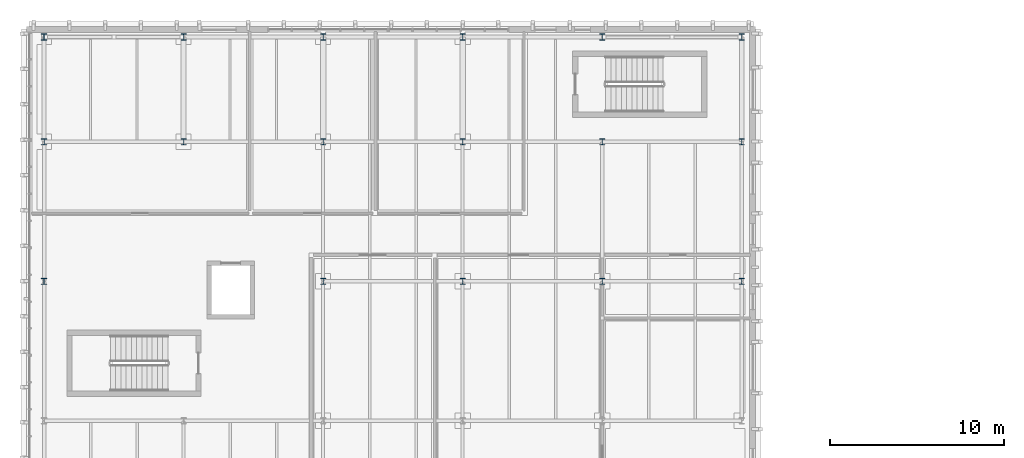
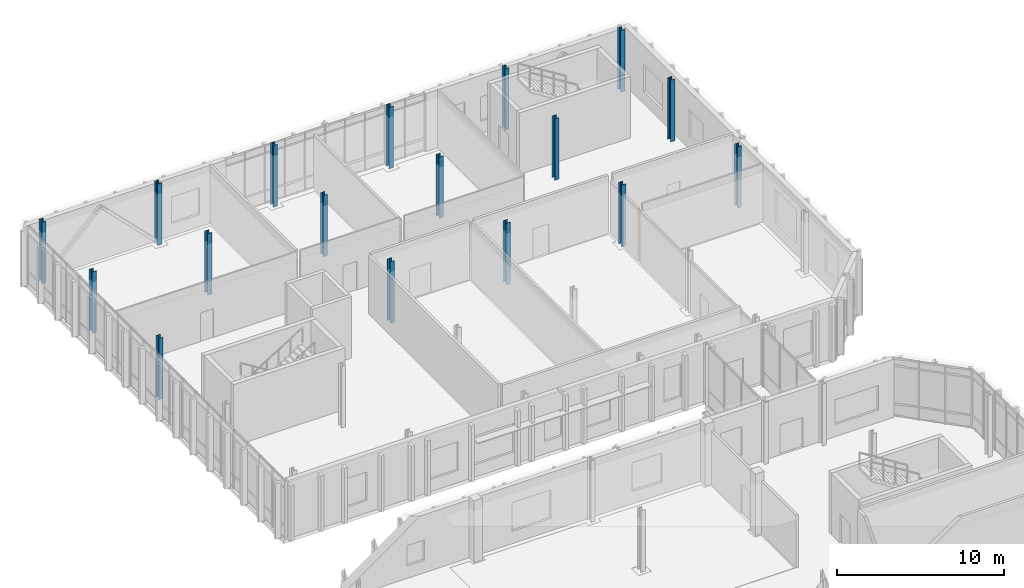
# One storey, part 10 of 86: 17 columns.
"""IFC4 building model written with IfcOpenShell, lengths in metres."""

from ifc_helpers import new_model, si_unit, direction, frame, origin, origin_2d, place, context, subcontext, project, spatial, i_section, extrude, material, material_profile, profile_set, type_object, element, save


model = new_model("IFC4")

# Units and contexts
model_context = context("Model", 3, precision=1e-05, world=origin(), true_north=direction((0.0, 1.0)))
body_context = subcontext(model_context, "Body", "Model", "MODEL_VIEW")
ifc_project = project(units=[si_unit("LENGTHUNIT", "METRE"), si_unit("AREAUNIT", "SQUARE_METRE"), si_unit("VOLUMEUNIT", "CUBIC_METRE"), si_unit("PLANEANGLEUNIT", "RADIAN"), si_unit("MASSUNIT", "GRAM", prefix="KILO")], contexts=[model_context])

# Site, building, storey
site_placement = place(None, origin())
site = spatial("IfcSite", under=ifc_project, at=site_placement, CompositionType="ELEMENT")
building_placement = place(site_placement, origin())
building = spatial("IfcBuilding", under=site, at=building_placement, Name="Cymarion Research Institute", CompositionType="ELEMENT")
storey_placement = place(building_placement, frame((0.0, 0.0, 13.800048828125)))
storey = spatial("IfcBuildingStorey", under=building, at=storey_placement, Name="L03", CompositionType="ELEMENT", Elevation=13.800048828125)

# Columns
ifc_material = material(Name="Steel S355", Category="steel")
ifc_material_profile_1 = material_profile(ifc_material, i_section(OverallWidth=0.300048828125, OverallDepth=0.360107421875, WebThickness=0.012451171875, FlangeThickness=0.0224609375, FilletRadius=0.027099609375, at=origin_2d()), Name="HEB 360")
ifc_profile_set_1 = profile_set([ifc_material_profile_1], Name="Steel S355")
column_type_1 = type_object("IfcColumnType", Name="STRUCTURAL COLUMN C07 HEB 360", PredefinedType="COLUMN", material=ifc_profile_set_1)
for number, where, z_axis, x_axis, name in (
    (1, (6.60009765625, 101.5, 0.0), (0.0, 0.0, 1.0), (1.0, 0.0, 0.0), "L03 V5 column C07 #871"),
    (2, (6.60009765625, 115.5, 0.0), (0.0, 0.0, 1.0), (1.0, 0.0, 0.0), "L03 V5 column C07 #873"),
    (3, (14.60009765625, 115.5, 0.0), (0.0, 0.0, 1.0), (1.0, 0.0, 0.0), "L03 V5 column C07 #882"),
    (4, (22.60009765625, 101.5, 0.0), (0.0, 0.0, 1.0), (1.0, 0.0, 0.0), "L03 V5 column C07 #890"),
    (5, (22.60009765625, 115.5, 0.0), (0.0, 0.0, 1.0), (1.0, 0.0, 0.0), "L03 V5 column C07 #892"),
    (6, (30.60009765625, 101.5, 0.0), (0.0, 0.0, 1.0), (1.0, 0.0, 0.0), "L03 V5 column C07 #900"),
    (7, (30.60009765625, 115.5, 0.0), (0.0, 0.0, 1.0), (1.0, 0.0, 0.0), "L03 V5 column C07 #902"),
    (8, (38.60009765625, 101.5, 0.0), (0.0, 0.0, 1.0), (1.0, 0.0, 0.0), "L03 V5 column C07 #913"),
    (9, (38.60009765625, 115.5, 0.0), (0.0, 0.0, 1.0), (1.0, 0.0, 0.0), "L03 V5 column C07 #915"),
    (10, (46.60009765625, 101.5, 0.0), (0.0, 0.0, 1.0), (1.0, 0.0, 0.0), "L03 V5 column C07 #921"),
    (11, (46.60009765625, 115.5, 0.0), (0.0, 0.0, 1.0), (1.0, 0.0, 0.0), "L03 V5 column C07 #923"),
):
    element("IfcColumn", number, at=place(storey_placement, frame(where, z_axis=z_axis, x_axis=x_axis)), inside=storey, type_object=column_type_1, Name=name, PredefinedType="COLUMN", context=body_context, shape_type="SweptSolid", body=[
        extrude(i_section(OverallWidth=0.300048828125, OverallDepth=0.360107421875, WebThickness=0.012451171875, FlangeThickness=0.0224609375, FilletRadius=0.027099609375, at=origin_2d()), origin(), (0.0, 0.0, 1.0), 4.5),
    ])
ifc_material_profile_2 = material_profile(ifc_material, i_section(OverallWidth=0.300048828125, OverallDepth=0.35009765625, WebThickness=0.010009765625, FlangeThickness=0.017578125, FilletRadius=0.027099609375, at=origin_2d()), Name="HEA 360")
ifc_profile_set_2 = profile_set([ifc_material_profile_2], Name="Steel S355")
column_type_2 = type_object("IfcColumnType", Name="STRUCTURAL COLUMN C12 HEA 360", PredefinedType="COLUMN", material=ifc_profile_set_2)
for number, where, z_axis, x_axis, name in (
    (12, (6.60009765625, 109.5, 0.0), (0.0, 0.0, 1.0), (1.0, 0.0, 0.0), "L03 V5 column C12 #872"),
    (13, (14.60009765625, 109.5, 0.0), (0.0, 0.0, 1.0), (1.0, 0.0, 0.0), "L03 V5 column C12 #881"),
    (14, (22.60009765625, 109.5, 0.0), (0.0, 0.0, 1.0), (1.0, 0.0, 0.0), "L03 V5 column C12 #891"),
    (15, (30.60009765625, 109.5, 0.0), (0.0, 0.0, 1.0), (1.0, 0.0, 0.0), "L03 V5 column C12 #901"),
    (16, (38.60009765625, 109.5, 0.0), (0.0, 0.0, 1.0), (1.0, 0.0, 0.0), "L03 V5 column C12 #914"),
    (17, (46.60009765625, 109.5, 0.0), (0.0, 0.0, 1.0), (1.0, 0.0, 0.0), "L03 V5 column C12 #922"),
):
    element("IfcColumn", number, at=place(storey_placement, frame(where, z_axis=z_axis, x_axis=x_axis)), inside=storey, type_object=column_type_2, Name=name, PredefinedType="COLUMN", context=body_context, shape_type="SweptSolid", body=[
        extrude(i_section(OverallWidth=0.300048828125, OverallDepth=0.35009765625, WebThickness=0.010009765625, FlangeThickness=0.017578125, FilletRadius=0.027099609375, at=origin_2d()), origin(), (0.0, 0.0, 1.0), 4.5),
    ])

save(model, "model.ifc")
